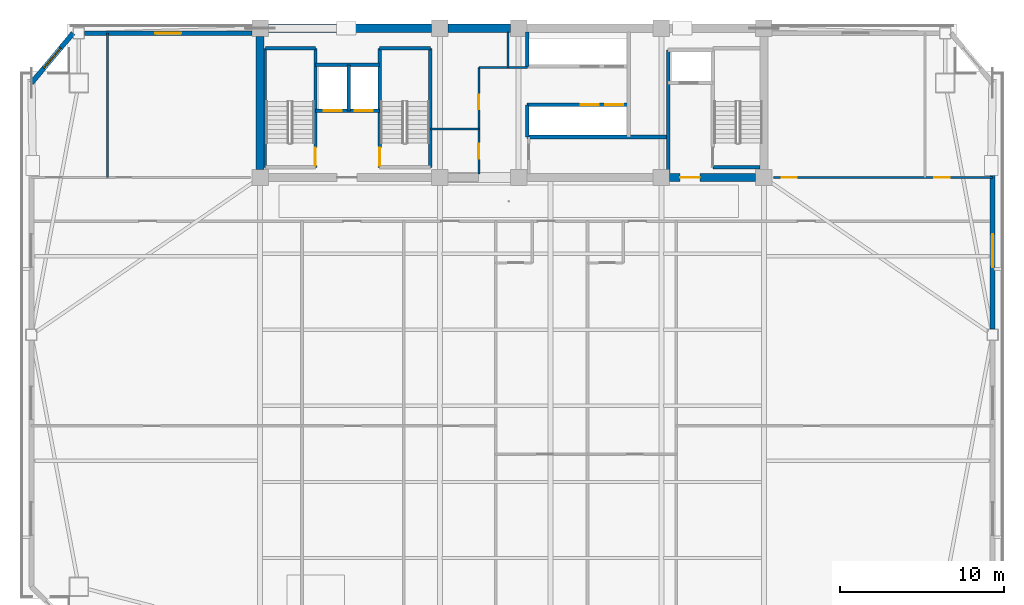
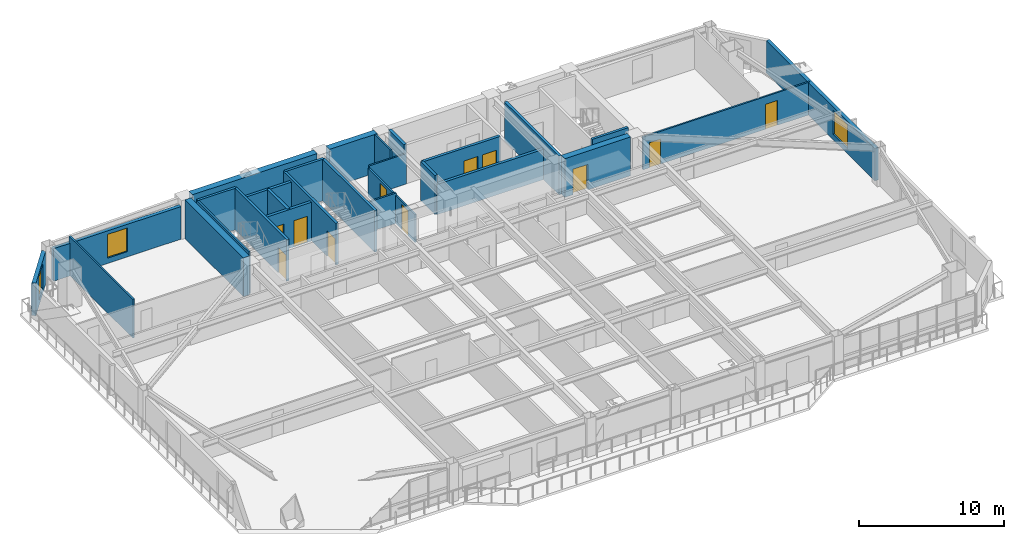
# One storey, part 9 of 15: 28 walls, 11 doors, 3 windows, 14 openings.
"""IFC4 building model written with IfcOpenShell, lengths in metres."""

from ifc_helpers import new_model, si_unit, direction, frame, frame_2d, origin, place, context, subcontext, project, spatial, rectangle, extrude, source, transform, mapped, material, layer, layer_set, type_object, element, fill, save


model = new_model("IFC4")

# Units and contexts
model_context = context("Model", 3, precision=1e-05, world=origin(), true_north=direction((0.0, 1.0)))
body_context = subcontext(model_context, "Body", "Model", "MODEL_VIEW")
ifc_project = project(units=[si_unit("LENGTHUNIT", "METRE"), si_unit("AREAUNIT", "SQUARE_METRE"), si_unit("VOLUMEUNIT", "CUBIC_METRE"), si_unit("PLANEANGLEUNIT", "RADIAN"), si_unit("MASSUNIT", "GRAM", prefix="KILO")], contexts=[model_context])

# Site, building, storey
site_placement = place(None, origin())
site = spatial("IfcSite", under=ifc_project, at=site_placement, CompositionType="ELEMENT")
building_placement = place(site_placement, origin())
building = spatial("IfcBuilding", under=site, at=building_placement, Name="Giltprow Tower", CompositionType="ELEMENT")
storey_placement = place(building_placement, frame((0.0, 0.0, 170.199951171875)))
storey = spatial("IfcBuildingStorey", under=building, at=storey_placement, Name="L42", CompositionType="ELEMENT", Elevation=170.199951171875)

# Wall, opening, window
ifc_material_1 = material(Name="Precast concrete C40", Category="concrete")
ifc_layer_1 = layer(ifc_material_1, 0.300048828125, Name="Precast concrete C40")
ifc_layer_set_1 = layer_set([ifc_layer_1], Name="Precast concrete C40")
wall_type_1 = type_object("IfcWallType", Name="EW-NOTCH-CHAMFER-300", PredefinedType="SOLIDWALL", material=ifc_layer_set_1)
wall_1_placement = place(storey_placement, frame((8.4560546875, 46.25, 0.0), z_axis=(0.0, 0.0, 1.0), x_axis=(-0.641106288565, -0.76745210063, 0.0)))
wall_1 = element("IfcWall", 1, at=wall_1_placement, inside=storey, type_object=wall_type_1, Name="L42 Corner Notch Wall NW", PredefinedType="SOLIDWALL", context=body_context, shape_type="SweptSolid", body=[
    extrude(rectangle(XDim=3.957275390625, YDim=0.300048828125, at=frame_2d((1.978515625, 0.0))), origin(), (0.0, 0.0, 1.0), 2.75),
])
opening_1_placement = place(wall_1_placement, frame((1.178955078125, 0.0, 0.449951171875)))
opening_1 = element("IfcOpeningElement", 2, at=opening_1_placement, cuts=wall_1, Name="Opening WN17", PredefinedType="OPENING", context=body_context, shape_type="SweptSolid", body=[
    extrude(rectangle(XDim=1.60009765625, YDim=2.0, at=frame_2d((0.800048828125, 1.0))), frame((0.0, 0.159912109375, 0.0), z_axis=(0.0, -1.0, 0.0), x_axis=(1.0, 0.0, 0.0)), (0.0, 0.0, 1.0), 0.320068359375),
])
ifc_material_2 = material(Name="Insulated glass", Category="glass")
window_type_1 = type_object("IfcWindowType", Name="WN-COR-1600x2000", PartitioningType="SINGLE_PANEL", PredefinedType="WINDOW", material=ifc_material_2)
shared_shape_1 = source(origin(), body_context, "Body", "SweptSolid", [
    extrude(rectangle(XDim=1.60009765625, YDim=2.0, at=frame_2d((0.800048828125, 1.0))), frame((0.0, 0.030029296875, 0.0), z_axis=(0.0, -1.0, 0.0), x_axis=(1.0, 0.0, 0.0)), (0.0, 0.0, 1.0), 0.06005859375),
])
window_1_placement = place(opening_1_placement, origin())
window_1 = element("IfcWindow", 3, at=window_1_placement, inside=storey, type_object=window_type_1, Name="L42 Corner Notch Window NW", OverallHeight=2.0, OverallWidth=1.60009765625, PartitioningType="SINGLE_PANEL", PredefinedType="WINDOW", context=body_context, shape_type="MappedRepresentation", body=[
    mapped(shared_shape_1, transform((0.0, 0.0, 0.0), x_axis=(1.0, 0.0, 0.0), y_axis=(0.0, 1.0, 0.0), z_axis=(0.0, 0.0, 1.0), scale=1.0)),
])
fill(opening_1, window_1)

ifc_layer_2 = layer(ifc_material_1, 0.280029296875, Name="Precast concrete C40")
ifc_layer_set_2 = layer_set([ifc_layer_2], Name="Precast concrete C40")
wall_type_2 = type_object("IfcWallType", Name="EW-TOW-BRONZE-280", PredefinedType="SOLIDWALL", material=ifc_layer_set_2)
wall_2_placement = place(storey_placement, frame((64.48095703125, 28.212890625, 0.0), z_axis=(0.0, 0.0, 1.0), x_axis=(0.0, 1.0, 0.0)))
wall_2 = element("IfcWall", 4, at=wall_2_placement, inside=storey, type_object=wall_type_2, Name="L42 E Wing Masonry Wall 2", PredefinedType="SOLIDWALL", context=body_context, shape_type="SweptSolid", body=[
    extrude(rectangle(XDim=15.0, YDim=0.280029296875, at=frame_2d((7.5, 0.0))), origin(), (0.0, 0.0, 1.0), 2.75),
])
opening_2_placement = place(wall_2_placement, frame((3.784912109375, 0.0, 0.449951171875)))
opening_2 = element("IfcOpeningElement", 5, at=opening_2_placement, cuts=wall_2, Name="Opening WN21", PredefinedType="OPENING", context=body_context, shape_type="SweptSolid", body=[
    extrude(rectangle(XDim=2.0, YDim=2.0, at=frame_2d((1.0, 1.0))), frame((0.0, 0.14990234375, 0.0), z_axis=(0.0, -1.0, 0.0), x_axis=(1.0, 0.0, 0.0)), (0.0, 0.0, 1.0), 0.300048828125),
])
window_type_2 = type_object("IfcWindowType", Name="WN-HTL-2000x2000", PartitioningType="DOUBLE_PANEL_VERTICAL", PredefinedType="WINDOW", material=ifc_material_2)
shared_shape_2 = source(origin(), body_context, "Body", "SweptSolid", [
    extrude(rectangle(XDim=2.0, YDim=2.0, at=frame_2d((1.0, 1.0))), frame((0.0, 0.030029296875, 0.0), z_axis=(0.0, -1.0, 0.0), x_axis=(1.0, 0.0, 0.0)), (0.0, 0.0, 1.0), 0.06005859375),
])
window_2_placement = place(opening_2_placement, origin())
window_2 = element("IfcWindow", 6, at=window_2_placement, inside=storey, type_object=window_type_2, Name="L42 E Wing Window 2-1", OverallHeight=2.0, OverallWidth=2.0, PartitioningType="SINGLE_PANEL", PredefinedType="WINDOW", context=body_context, shape_type="MappedRepresentation", body=[
    mapped(shared_shape_2, transform((0.0, 0.0, 0.0), x_axis=(1.0, 0.0, 0.0), y_axis=(0.0, 1.0, 0.0), z_axis=(0.0, 0.0, 1.0), scale=1.0)),
])
fill(opening_2, window_2)

wall_3_placement = place(storey_placement, frame((9.156005859375, 46.25, 0.0), z_axis=(0.0, 0.0, 1.0), x_axis=(1.0, 0.0, 0.0)))
wall_3 = element("IfcWall", 7, at=wall_3_placement, inside=storey, type_object=wall_type_2, Name="L42 North-West Wing Wall", PredefinedType="SOLIDWALL", context=body_context, shape_type="SweptSolid", body=[
    extrude(rectangle(XDim=10.194091796875, YDim=0.280029296875, at=frame_2d((5.09716796875, 0.0))), origin(), (0.0, 0.0, 1.0), 2.75),
])
opening_3_placement = place(wall_3_placement, frame((4.297119140625, 0.0, 0.449951171875)))
opening_3 = element("IfcOpeningElement", 8, at=opening_3_placement, cuts=wall_3, Name="Opening WN17", PredefinedType="OPENING", context=body_context, shape_type="SweptSolid", body=[
    extrude(rectangle(XDim=1.60009765625, YDim=2.0, at=frame_2d((0.800048828125, 1.0))), frame((0.0, 0.14990234375, 0.0), z_axis=(0.0, -1.0, 0.0), x_axis=(1.0, 0.0, 0.0)), (0.0, 0.0, 1.0), 0.300048828125),
])
window_3_placement = place(opening_3_placement, origin())
window_3 = element("IfcWindow", 9, at=window_3_placement, inside=storey, type_object=window_type_1, Name="L42 North-West Window", OverallHeight=2.0, OverallWidth=1.60009765625, PartitioningType="SINGLE_PANEL", PredefinedType="WINDOW", context=body_context, shape_type="MappedRepresentation", body=[
    mapped(shared_shape_1, transform((0.0, 0.0, 0.0), x_axis=(1.0, 0.0, 0.0), y_axis=(0.0, 1.0, 0.0), z_axis=(0.0, 0.0, 1.0), scale=1.0)),
])
fill(opening_3, window_3)

# Wall, openings, doors
ifc_material_3 = material(Name="Concrete C40", Category="concrete")
ifc_layer_3 = layer(ifc_material_3, 0.219970703125, Name="Concrete C40")
ifc_layer_set_3 = layer_set([ifc_layer_3], Name="Concrete C40")
wall_type_3 = type_object("IfcWallType", Name="IW-SHAFT-220", PredefinedType="SOLIDWALL", material=ifc_layer_set_3)
wall_4_placement = place(storey_placement, frame((23.219970703125, 41.52001953125, 0.0), z_axis=(0.0, 0.0, 1.0), x_axis=(1.0, 0.0, 0.0)))
wall_4 = element("IfcWall", 10, at=wall_4_placement, inside=storey, type_object=wall_type_3, Name="L42 FFL1 and Service Lift Front Wall", PredefinedType="SOLIDWALL", context=body_context, shape_type="SweptSolid", body=[
    extrude(rectangle(XDim=3.919921875, YDim=0.219970703125, at=frame_2d((1.9599609375, 0.0))), origin(), (0.0, 0.0, 1.0), 3.27001953125),
])
opening_4_placement = place(wall_4_placement, frame((0.5, 0.0, 0.0)))
opening_4 = element("IfcOpeningElement", 11, at=opening_4_placement, cuts=wall_4, Name="Opening LD-11", PredefinedType="OPENING", context=body_context, shape_type="SweptSolid", body=[
    extrude(rectangle(XDim=1.10009765625, YDim=2.199951171875, at=frame_2d((0.550048828125, 1.10009765625))), frame((0.0, 0.119873046875, 0.0), z_axis=(0.0, -1.0, 0.0), x_axis=(1.0, 0.0, 0.0)), (0.0, 0.0, 1.0), 0.239990234375),
])
opening_5_placement = place(wall_4_placement, frame((2.39990234375, 0.0, 0.0)))
opening_5 = element("IfcOpeningElement", 12, at=opening_5_placement, cuts=wall_4, Name="Opening LD-11", PredefinedType="OPENING", context=body_context, shape_type="SweptSolid", body=[
    extrude(rectangle(XDim=1.10009765625, YDim=2.199951171875, at=frame_2d((0.550048828125, 1.10009765625))), frame((0.0, 0.119873046875, 0.0), z_axis=(0.0, -1.0, 0.0), x_axis=(1.0, 0.0, 0.0)), (0.0, 0.0, 1.0), 0.239990234375),
])
ifc_material_4 = material(Name="Stainless steel", Category="steel")
door_type_1 = type_object("IfcDoorType", Name="DR-LIFT-LD1100", OperationType="SLIDING_TO_LEFT", PredefinedType="DOOR", material=ifc_material_4)
shared_shape_3 = source(origin(), body_context, "Body", "SweptSolid", [
    extrude(rectangle(XDim=1.10009765625, YDim=2.199951171875, at=frame_2d((0.550048828125, 1.10009765625))), frame((0.0, 0.02490234375, 0.0), z_axis=(0.0, -1.0, 0.0), x_axis=(1.0, 0.0, 0.0)), (0.0, 0.0, 1.0), 0.050048828125),
])
door_1_placement = place(opening_4_placement, origin())
door_1 = element("IfcDoor", 13, at=door_1_placement, inside=storey, type_object=door_type_1, Name="L42 FFL1 Landing Door", OperationType="SLIDING_TO_LEFT", OverallHeight=2.199951171875, OverallWidth=1.10009765625, PredefinedType="DOOR", context=body_context, shape_type="MappedRepresentation", body=[
    mapped(shared_shape_3, transform((0.0, 0.0, 0.0), x_axis=(1.0, 0.0, 0.0), y_axis=(0.0, 1.0, 0.0), z_axis=(0.0, 0.0, 1.0), scale=1.0)),
])
fill(opening_4, door_1)
door_2_placement = place(opening_5_placement, origin())
door_2 = element("IfcDoor", 14, at=door_2_placement, inside=storey, type_object=door_type_1, Name="L42 SVL1 Landing Door", OperationType="SLIDING_TO_LEFT", OverallHeight=2.199951171875, OverallWidth=1.10009765625, PredefinedType="DOOR", context=body_context, shape_type="MappedRepresentation", body=[
    mapped(shared_shape_3, transform((0.0, 0.0, 0.0), x_axis=(1.0, 0.0, 0.0), y_axis=(0.0, 1.0, 0.0), z_axis=(0.0, 0.0, 1.0), scale=1.0)),
])
fill(opening_5, door_2)

# Walls
wall_5_placement = place(storey_placement, frame((25.260009765625, 41.52001953125, 0.0), z_axis=(0.0, 0.0, 1.0), x_axis=(0.0, 1.0, 0.0)))
element("IfcWall", 15, at=wall_5_placement, inside=storey, type_object=wall_type_3, Name="L42 FFL1-SVL1 Shaft Divider", PredefinedType="SOLIDWALL", context=body_context, shape_type="SweptSolid", body=[
    extrude(rectangle(XDim=2.800048828125, YDim=0.219970703125, at=frame_2d((1.39990234375, 0.0))), origin(), (0.0, 0.0, 1.0), 3.27001953125),
])
wall_6_placement = place(storey_placement, frame((23.219970703125, 44.320068359375, 0.0), z_axis=(0.0, 0.0, 1.0), x_axis=(1.0, 0.0, 0.0)))
element("IfcWall", 16, at=wall_6_placement, inside=storey, type_object=wall_type_3, Name="L42 FFL1-SVL1 Back Shaft Wall", PredefinedType="SOLIDWALL", context=body_context, shape_type="SweptSolid", body=[
    extrude(rectangle(XDim=3.919921875, YDim=0.219970703125, at=frame_2d((1.9599609375, 0.0))), origin(), (0.0, 0.0, 1.0), 3.27001953125),
])
wall_7_placement = place(storey_placement, frame((44.719970703125, 37.679931640625, 0.0), z_axis=(0.0, 0.0, 1.0), x_axis=(0.0, 1.0, 0.0)))
element("IfcWall", 17, at=wall_7_placement, inside=storey, type_object=wall_type_3, Name="L42 East Firefighting Lobby West Wall", PredefinedType="SOLIDWALL", context=body_context, shape_type="SweptSolid", body=[
    extrude(rectangle(XDim=7.5400390625, YDim=0.219970703125, at=frame_2d((3.77001953125, 0.0))), origin(), (0.0, 0.0, 1.0), 3.27001953125),
])

# Wall, openings, doors
wall_8_placement = place(storey_placement, frame((36.1201171875, 41.8798828125, 0.0), z_axis=(0.0, 0.0, 1.0), x_axis=(1.0, 0.0, 0.0)))
wall_8 = element("IfcWall", 18, at=wall_8_placement, inside=storey, type_object=wall_type_3, Name="L42 Mid-Rise Lift Shaft Front Wall S", PredefinedType="SOLIDWALL", context=body_context, shape_type="SweptSolid", body=[
    extrude(rectangle(XDim=6.199951171875, YDim=0.219970703125, at=frame_2d((3.10009765625, 0.0))), origin(), (0.0, 0.0, 1.0), 3.27001953125),
])
opening_6_placement = place(wall_8_placement, frame((3.280029296875, 0.0, 0.0)))
opening_6 = element("IfcOpeningElement", 19, at=opening_6_placement, cuts=wall_8, Name="Opening LD-11", PredefinedType="OPENING", context=body_context, shape_type="SweptSolid", body=[
    extrude(rectangle(XDim=1.10009765625, YDim=2.199951171875, at=frame_2d((0.550048828125, 1.10009765625))), frame((0.0, 0.119873046875, 0.0), z_axis=(0.0, -1.0, 0.0), x_axis=(1.0, 0.0, 0.0)), (0.0, 0.0, 1.0), 0.239990234375),
])
opening_7_placement = place(wall_8_placement, frame((4.77001953125, 0.0, 0.0)))
opening_7 = element("IfcOpeningElement", 20, at=opening_7_placement, cuts=wall_8, Name="Opening LD-11", PredefinedType="OPENING", context=body_context, shape_type="SweptSolid", body=[
    extrude(rectangle(XDim=1.10009765625, YDim=2.199951171875, at=frame_2d((0.550048828125, 1.10009765625))), frame((0.0, 0.119873046875, 0.0), z_axis=(0.0, -1.0, 0.0), x_axis=(1.0, 0.0, 0.0)), (0.0, 0.0, 1.0), 0.239990234375),
])
door_3_placement = place(opening_6_placement, origin())
door_3 = element("IfcDoor", 21, at=door_3_placement, inside=storey, type_object=door_type_1, Name="L42 PL-M3 Landing Door", OperationType="SLIDING_TO_LEFT", OverallHeight=2.199951171875, OverallWidth=1.10009765625, PredefinedType="DOOR", context=body_context, shape_type="MappedRepresentation", body=[
    mapped(shared_shape_3, transform((0.0, 0.0, 0.0), x_axis=(1.0, 0.0, 0.0), y_axis=(0.0, 1.0, 0.0), z_axis=(0.0, 0.0, 1.0), scale=1.0)),
])
fill(opening_6, door_3)
door_4_placement = place(opening_7_placement, origin())
door_4 = element("IfcDoor", 22, at=door_4_placement, inside=storey, type_object=door_type_1, Name="L42 PL-M4 Landing Door", OperationType="SLIDING_TO_LEFT", OverallHeight=2.199951171875, OverallWidth=1.10009765625, PredefinedType="DOOR", context=body_context, shape_type="MappedRepresentation", body=[
    mapped(shared_shape_3, transform((0.0, 0.0, 0.0), x_axis=(1.0, 0.0, 0.0), y_axis=(0.0, 1.0, 0.0), z_axis=(0.0, 0.0, 1.0), scale=1.0)),
])
fill(opening_7, door_4)

# Walls
wall_9_placement = place(storey_placement, frame((36.1201171875, 39.919921875, 0.0), z_axis=(0.0, 0.0, 1.0), x_axis=(1.0, 0.0, 0.0)))
element("IfcWall", 23, at=wall_9_placement, inside=storey, type_object=wall_type_3, Name="L42 Mid-Rise South Lift Back Wall", PredefinedType="SOLIDWALL", context=body_context, shape_type="SweptSolid", body=[
    extrude(rectangle(XDim=8.599853515625, YDim=0.219970703125, at=frame_2d((4.2998046875, 0.0))), origin(), (0.0, 0.0, 1.0), 2.554931640625),
])
wall_10_placement = place(storey_placement, frame((36.1201171875, 39.919921875, 0.0), z_axis=(0.0, 0.0, 1.0), x_axis=(0.0, 1.0, 0.0)))
element("IfcWall", 24, at=wall_10_placement, inside=storey, type_object=wall_type_3, Name="L42 Mid-Rise South Lift West Closure", PredefinedType="SOLIDWALL", context=body_context, shape_type="SweptSolid", body=[
    extrude(rectangle(XDim=1.9599609375, YDim=0.219970703125, at=frame_2d((0.97998046875, 0.0))), origin(), (0.0, 0.0, 1.0), 3.27001953125),
])
wall_11_placement = place(storey_placement, frame((36.1201171875, 44.219970703125, 0.0), z_axis=(0.0, 0.0, 1.0), x_axis=(0.0, 1.0, 0.0)))
element("IfcWall", 25, at=wall_11_placement, inside=storey, type_object=wall_type_3, Name="L42 Mid-Rise North Lift West Closure", PredefinedType="SOLIDWALL", context=body_context, shape_type="SweptSolid", body=[
    extrude(rectangle(XDim=2.10009765625, YDim=0.219970703125, at=frame_2d((1.050048828125, 0.0))), origin(), (0.0, 0.0, 1.0), 3.27001953125),
])
ifc_material_5 = material(Name="Concrete C45", Category="concrete")
ifc_layer_4 = layer(ifc_material_5, 0.139892578125, Name="Concrete C45")
ifc_layer_set_4 = layer_set([ifc_layer_4], Name="Concrete C45")
wall_type_4 = type_object("IfcWallType", Name="IW-STAIR-140", PredefinedType="SOLIDWALL", material=ifc_layer_set_4)
wall_12_placement = place(storey_placement, frame((20.169921875, 38.070068359375, 0.0), z_axis=(0.0, 0.0, 1.0), x_axis=(0.0, 1.0, 0.0)))
element("IfcWall", 26, at=wall_12_placement, inside=storey, type_object=wall_type_4, Name="L42 Stair ST-1 West Bearing Wall", PredefinedType="SOLIDWALL", context=body_context, shape_type="SweptSolid", body=[
    extrude(rectangle(XDim=7.25, YDim=0.139892578125, at=frame_2d((3.625, 0.0))), origin(), (0.0, 0.0, 1.0), 3.5),
])

# Wall, opening, door
ifc_layer_5 = layer(ifc_material_3, 0.199951171875, Name="Concrete C40")
ifc_layer_set_5 = layer_set([ifc_layer_5], Name="Concrete C40")
wall_type_5 = type_object("IfcWallType", Name="IW-STAIR-200", PredefinedType="SOLIDWALL", material=ifc_layer_set_5)
wall_13_placement = place(storey_placement, frame((23.219970703125, 38.070068359375, 0.0), z_axis=(0.0, 0.0, 1.0), x_axis=(0.0, 1.0, 0.0)))
wall_13 = element("IfcWall", 27, at=wall_13_placement, inside=storey, type_object=wall_type_5, Name="L42 Stair ST-1 East Bearing Wall", PredefinedType="SOLIDWALL", context=body_context, shape_type="SweptSolid", body=[
    extrude(rectangle(XDim=7.25, YDim=0.199951171875, at=frame_2d((3.625, 0.0))), origin(), (0.0, 0.0, 1.0), 3.5),
])
opening_8_placement = place(wall_13_placement, frame((0.110107421875, 0.0, 0.0)))
opening_8 = element("IfcOpeningElement", 28, at=opening_8_placement, cuts=wall_13, Name="Opening ID33", PredefinedType="OPENING", context=body_context, shape_type="SweptSolid", body=[
    extrude(rectangle(XDim=1.10009765625, YDim=2.14990234375, at=frame_2d((0.550048828125, 1.074951171875))), frame((0.0, 0.10986328125, 0.0), z_axis=(0.0, -1.0, 0.0), x_axis=(1.0, 0.0, 0.0)), (0.0, 0.0, 1.0), 0.219970703125),
])
ifc_material_6 = material(Name="Steel fire leaf", Category="steel")
door_type_2 = type_object("IfcDoorType", Name="DR-STAIR-1100", OperationType="SINGLE_SWING_LEFT", PredefinedType="DOOR", material=ifc_material_6)
shared_shape_4 = source(origin(), body_context, "Body", "SweptSolid", [
    extrude(rectangle(XDim=1.10009765625, YDim=2.14990234375, at=frame_2d((0.550048828125, 1.074951171875))), frame((0.0, 0.02490234375, 0.0), z_axis=(0.0, -1.0, 0.0), x_axis=(1.0, 0.0, 0.0)), (0.0, 0.0, 1.0), 0.050048828125),
])
door_5_placement = place(opening_8_placement, origin())
door_5 = element("IfcDoor", 29, at=door_5_placement, inside=storey, type_object=door_type_2, Name="L42 Stair ST-1 Fire Door", OperationType="SINGLE_SWING_LEFT", OverallHeight=2.14990234375, OverallWidth=1.10009765625, PredefinedType="DOOR", context=body_context, shape_type="MappedRepresentation", body=[
    mapped(shared_shape_4, transform((0.0, 0.0, 0.0), x_axis=(1.0, 0.0, 0.0), y_axis=(0.0, 1.0, 0.0), z_axis=(0.0, 0.0, 1.0), scale=1.0)),
])
fill(opening_8, door_5)

# Wall
wall_14_placement = place(storey_placement, frame((20.169921875, 45.320068359375, 0.0), z_axis=(0.0, 0.0, 1.0), x_axis=(1.0, 0.0, 0.0)))
element("IfcWall", 30, at=wall_14_placement, inside=storey, type_object=wall_type_5, Name="L42 Stair ST-1 North Bearing Wall", PredefinedType="SOLIDWALL", context=body_context, shape_type="SweptSolid", body=[
    extrude(rectangle(XDim=3.050048828125, YDim=0.199951171875, at=frame_2d((1.52490234375, 0.0))), origin(), (0.0, 0.0, 1.0), 3.5),
])

# Wall, opening, door
wall_15_placement = place(storey_placement, frame((27.139892578125, 38.070068359375, 0.0), z_axis=(0.0, 0.0, 1.0), x_axis=(0.0, 1.0, 0.0)))
wall_15 = element("IfcWall", 31, at=wall_15_placement, inside=storey, type_object=wall_type_5, Name="L42 Stair ST-2 West Bearing Wall", PredefinedType="SOLIDWALL", context=body_context, shape_type="SweptSolid", body=[
    extrude(rectangle(XDim=7.25, YDim=0.199951171875, at=frame_2d((3.625, 0.0))), origin(), (0.0, 0.0, 1.0), 3.5),
])
opening_9_placement = place(wall_15_placement, frame((0.110107421875, 0.0, 0.0)))
opening_9 = element("IfcOpeningElement", 32, at=opening_9_placement, cuts=wall_15, Name="Opening ID33", PredefinedType="OPENING", context=body_context, shape_type="SweptSolid", body=[
    extrude(rectangle(XDim=1.10009765625, YDim=2.14990234375, at=frame_2d((0.550048828125, 1.074951171875))), frame((0.0, 0.10986328125, 0.0), z_axis=(0.0, -1.0, 0.0), x_axis=(1.0, 0.0, 0.0)), (0.0, 0.0, 1.0), 0.219970703125),
])
door_6_placement = place(opening_9_placement, origin())
door_6 = element("IfcDoor", 33, at=door_6_placement, inside=storey, type_object=door_type_2, Name="L42 Stair ST-2 Fire Door", OperationType="SINGLE_SWING_RIGHT", OverallHeight=2.14990234375, OverallWidth=1.10009765625, PredefinedType="DOOR", context=body_context, shape_type="MappedRepresentation", body=[
    mapped(shared_shape_4, transform((0.0, 0.0, 0.0), x_axis=(1.0, 0.0, 0.0), y_axis=(0.0, 1.0, 0.0), z_axis=(0.0, 0.0, 1.0), scale=1.0)),
])
fill(opening_9, door_6)

# Walls
wall_16_placement = place(storey_placement, frame((30.219970703125, 38.070068359375, 0.0), z_axis=(0.0, 0.0, 1.0), x_axis=(0.0, 1.0, 0.0)))
element("IfcWall", 34, at=wall_16_placement, inside=storey, type_object=wall_type_5, Name="L42 Stair ST-2 East Bearing Wall", PredefinedType="SOLIDWALL", context=body_context, shape_type="SweptSolid", body=[
    extrude(rectangle(XDim=7.25, YDim=0.199951171875, at=frame_2d((3.625, 0.0))), origin(), (0.0, 0.0, 1.0), 3.5),
])
wall_17_placement = place(storey_placement, frame((27.139892578125, 45.320068359375, 0.0), z_axis=(0.0, 0.0, 1.0), x_axis=(1.0, 0.0, 0.0)))
element("IfcWall", 35, at=wall_17_placement, inside=storey, type_object=wall_type_5, Name="L42 Stair ST-2 North Bearing Wall", PredefinedType="SOLIDWALL", context=body_context, shape_type="SweptSolid", body=[
    extrude(rectangle(XDim=3.080078125, YDim=0.199951171875, at=frame_2d((1.5400390625, 0.0))), origin(), (0.0, 0.0, 1.0), 3.5),
])
wall_18_placement = place(storey_placement, frame((47.43994140625, 38.070068359375, 0.0), z_axis=(0.0, 0.0, 1.0), x_axis=(1.0, 0.0, 0.0)))
element("IfcWall", 36, at=wall_18_placement, inside=storey, type_object=wall_type_5, Name="L42 Stair ST-3 South Bearing Wall", PredefinedType="SOLIDWALL", context=body_context, shape_type="SweptSolid", body=[
    extrude(rectangle(XDim=2.880126953125, YDim=0.199951171875, at=frame_2d((1.43994140625, 0.0))), origin(), (0.0, 0.0, 1.0), 3.5),
])

# Wall, openings, doors
ifc_material_7 = material(Name="Concrete C30", Category="concrete")
ifc_layer_6 = layer(ifc_material_7, 0.1298828125, Name="Concrete C30")
ifc_layer_set_6 = layer_set([ifc_layer_6], Name="Concrete C30")
wall_type_6 = type_object("IfcWallType", Name="IW-WET-130", PredefinedType="PARTITIONING", material=ifc_layer_set_6)
wall_19_placement = place(storey_placement, frame((33.179931640625, 37.679931640625, 0.0), z_axis=(0.0, 0.0, 1.0), x_axis=(0.0, 1.0, 0.0)))
wall_19 = element("IfcWall", 37, at=wall_19_placement, inside=storey, type_object=wall_type_6, Name="L42 Reclaimed Core Room East Wall", PredefinedType="PARTITIONING", context=body_context, shape_type="SweptSolid", body=[
    extrude(rectangle(XDim=6.469970703125, YDim=0.1298828125, at=frame_2d((3.23486328125, 0.0))), origin(), (0.0, 0.0, 1.0), 2.35498046875),
])
opening_10_placement = place(wall_19_placement, frame((0.919921875, 0.0, 0.0)))
opening_10 = element("IfcOpeningElement", 38, at=opening_10_placement, cuts=wall_19, Name="Opening ID35", PredefinedType="OPENING", context=body_context, shape_type="SweptSolid", body=[
    extrude(rectangle(XDim=0.89990234375, YDim=2.10009765625, at=frame_2d((0.449951171875, 1.050048828125))), frame((0.0, 0.074951171875, 0.0), z_axis=(0.0, -1.0, 0.0), x_axis=(1.0, 0.0, 0.0)), (0.0, 0.0, 1.0), 0.14990234375),
])
opening_11_placement = place(wall_19_placement, frame((3.919921875, 0.0, 0.0)))
opening_11 = element("IfcOpeningElement", 39, at=opening_11_placement, cuts=wall_19, Name="Opening ID35", PredefinedType="OPENING", context=body_context, shape_type="SweptSolid", body=[
    extrude(rectangle(XDim=0.89990234375, YDim=2.10009765625, at=frame_2d((0.449951171875, 1.050048828125))), frame((0.0, 0.074951171875, 0.0), z_axis=(0.0, -1.0, 0.0), x_axis=(1.0, 0.0, 0.0)), (0.0, 0.0, 1.0), 0.14990234375),
])
door_type_3 = type_object("IfcDoorType", Name="DR-SHAFT-900", OperationType="SINGLE_SWING_LEFT", PredefinedType="DOOR", material=ifc_material_6)
shared_shape_5 = source(origin(), body_context, "Body", "SweptSolid", [
    extrude(rectangle(XDim=0.89990234375, YDim=2.10009765625, at=frame_2d((0.449951171875, 1.050048828125))), frame((0.0, 0.02490234375, 0.0), z_axis=(0.0, -1.0, 0.0), x_axis=(1.0, 0.0, 0.0)), (0.0, 0.0, 1.0), 0.050048828125),
])
door_7_placement = place(opening_10_placement, origin())
door_7 = element("IfcDoor", 40, at=door_7_placement, inside=storey, type_object=door_type_3, Name="L42 Core Accessible WC Door", OperationType="SINGLE_SWING_RIGHT", OverallHeight=2.10009765625, OverallWidth=0.89990234375, PredefinedType="DOOR", context=body_context, shape_type="MappedRepresentation", body=[
    mapped(shared_shape_5, transform((0.0, 0.0, 0.0), x_axis=(1.0, 0.0, 0.0), y_axis=(0.0, 1.0, 0.0), z_axis=(0.0, 0.0, 1.0), scale=1.0)),
])
fill(opening_10, door_7)
door_8_placement = place(opening_11_placement, origin())
door_8 = element("IfcDoor", 41, at=door_8_placement, inside=storey, type_object=door_type_3, Name="L42 Housekeeping Room Door", OperationType="SINGLE_SWING_LEFT", OverallHeight=2.10009765625, OverallWidth=0.89990234375, PredefinedType="DOOR", context=body_context, shape_type="MappedRepresentation", body=[
    mapped(shared_shape_5, transform((0.0, 0.0, 0.0), x_axis=(1.0, 0.0, 0.0), y_axis=(0.0, 1.0, 0.0), z_axis=(0.0, 0.0, 1.0), scale=1.0)),
])
fill(opening_11, door_8)

# Walls
wall_20_placement = place(storey_placement, frame((34.949951171875, 44.14990234375, 0.0), z_axis=(0.0, 0.0, 1.0), x_axis=(0.0, 1.0, 0.0)))
element("IfcWall", 42, at=wall_20_placement, inside=storey, type_object=wall_type_6, Name="L42 Reclaimed North Pocket East Wall", PredefinedType="PARTITIONING", context=body_context, shape_type="SweptSolid", body=[
    extrude(rectangle(XDim=2.170166015625, YDim=0.1298828125, at=frame_2d((1.0849609375, 0.0))), origin(), (0.0, 0.0, 1.0), 3.27001953125),
])
wall_21_placement = place(storey_placement, frame((33.179931640625, 44.14990234375, 0.0), z_axis=(0.0, 0.0, 1.0), x_axis=(1.0, 0.0, 0.0)))
element("IfcWall", 43, at=wall_21_placement, inside=storey, type_object=wall_type_6, Name="L42 Reclaimed North Pocket South Wall", PredefinedType="PARTITIONING", context=body_context, shape_type="SweptSolid", body=[
    extrude(rectangle(XDim=2.969970703125, YDim=0.1298828125, at=frame_2d((1.48486328125, 0.0))), origin(), (0.0, 0.0, 1.0), 2.554931640625),
])
wall_22_placement = place(storey_placement, frame((30.219970703125, 40.39990234375, 0.0), z_axis=(0.0, 0.0, 1.0), x_axis=(1.0, 0.0, 0.0)))
element("IfcWall", 44, at=wall_22_placement, inside=storey, type_object=wall_type_6, Name="L42 Core Housekeeping Split 2", PredefinedType="PARTITIONING", context=body_context, shape_type="SweptSolid", body=[
    extrude(rectangle(XDim=2.9599609375, YDim=0.1298828125, at=frame_2d((1.47998046875, 0.0))), origin(), (0.0, 0.0, 1.0), 2.554931640625),
])
wall_23_placement = place(storey_placement, frame((10.550048828125, 37.449951171875, 0.0), z_axis=(0.0, 0.0, 1.0), x_axis=(0.0, 1.0, 0.0)))
element("IfcWall", 45, at=wall_23_placement, inside=storey, type_object=wall_type_6, Name="L42 NW Wing Divider", PredefinedType="PARTITIONING", context=body_context, shape_type="SweptSolid", body=[
    extrude(rectangle(XDim=8.800048828125, YDim=0.1298828125, at=frame_2d((4.39990234375, 0.0))), origin(), (0.0, 0.0, 1.0), 3.27001953125),
])

# Wall, openings, doors
wall_24_placement = place(storey_placement, frame((51.14990234375, 37.449951171875, 0.0), z_axis=(0.0, 0.0, 1.0), x_axis=(1.0, 0.0, 0.0)))
wall_24 = element("IfcWall", 46, at=wall_24_placement, inside=storey, type_object=wall_type_6, Name="L42 NE Wing South Wall", PredefinedType="PARTITIONING", context=body_context, shape_type="SweptSolid", body=[
    extrude(rectangle(XDim=13.3310546875, YDim=0.1298828125, at=frame_2d((6.66552734375, 0.0))), origin(), (0.0, 0.0, 1.0), 2.755126953125),
])
opening_12_placement = place(wall_24_placement, frame((0.5, 0.0, 0.0)))
opening_12 = element("IfcOpeningElement", 47, at=opening_12_placement, cuts=wall_24, Name="Opening ID15", PredefinedType="OPENING", context=body_context, shape_type="SweptSolid", body=[
    extrude(rectangle(XDim=0.89990234375, YDim=2.10009765625, at=frame_2d((0.449951171875, 1.050048828125))), frame((0.0, 0.074951171875, 0.0), z_axis=(0.0, -1.0, 0.0), x_axis=(1.0, 0.0, 0.0)), (0.0, 0.0, 1.0), 0.14990234375),
])
opening_13_placement = place(wall_24_placement, frame((9.77197265625, 0.0, 0.0)))
opening_13 = element("IfcOpeningElement", 48, at=opening_13_placement, cuts=wall_24, Name="Opening ID11", PredefinedType="OPENING", context=body_context, shape_type="SweptSolid", body=[
    extrude(rectangle(XDim=0.949951171875, YDim=2.10009765625, at=frame_2d((0.47509765625, 1.050048828125))), frame((0.0, 0.074951171875, 0.0), z_axis=(0.0, -1.0, 0.0), x_axis=(1.0, 0.0, 0.0)), (0.0, 0.0, 1.0), 0.14990234375),
])
ifc_material_8 = material(Name="Engineered timber", Category="wood")
door_type_4 = type_object("IfcDoorType", Name="DR-WC-900", OperationType="SINGLE_SWING_LEFT", PredefinedType="DOOR", material=ifc_material_8)
door_9_placement = place(opening_12_placement, origin())
door_9 = element("IfcDoor", 49, at=door_9_placement, inside=storey, type_object=door_type_4, Name="L42 East Wing Washroom Door", OperationType="SINGLE_SWING_RIGHT", OverallHeight=2.10009765625, OverallWidth=0.89990234375, PredefinedType="DOOR", context=body_context, shape_type="MappedRepresentation", body=[
    mapped(shared_shape_5, transform((0.0, 0.0, 0.0), x_axis=(1.0, 0.0, 0.0), y_axis=(0.0, 1.0, 0.0), z_axis=(0.0, 0.0, 1.0), scale=1.0)),
])
fill(opening_12, door_9)
door_type_5 = type_object("IfcDoorType", Name="DR-ROOM-950", OperationType="SINGLE_SWING_RIGHT", PredefinedType="DOOR", material=ifc_material_8)
shared_shape_6 = source(origin(), body_context, "Body", "SweptSolid", [
    extrude(rectangle(XDim=0.949951171875, YDim=2.10009765625, at=frame_2d((0.47509765625, 1.050048828125))), frame((0.0, 0.02490234375, 0.0), z_axis=(0.0, -1.0, 0.0), x_axis=(1.0, 0.0, 0.0)), (0.0, 0.0, 1.0), 0.050048828125),
])
door_10_placement = place(opening_13_placement, origin())
door_10 = element("IfcDoor", 50, at=door_10_placement, inside=storey, type_object=door_type_5, Name="L42 Hotel Floor Linen Store Door", OperationType="SINGLE_SWING_RIGHT", OverallHeight=2.10009765625, OverallWidth=0.949951171875, PredefinedType="DOOR", context=body_context, shape_type="MappedRepresentation", body=[
    mapped(shared_shape_6, transform((0.0, 0.0, 0.0), x_axis=(1.0, 0.0, 0.0), y_axis=(0.0, 1.0, 0.0), z_axis=(0.0, 0.0, 1.0), scale=1.0)),
])
fill(opening_13, door_10)

# Walls
ifc_material_9 = material(Name="Concrete C50", Category="concrete")
ifc_layer_7 = layer(ifc_material_9, 0.5, Name="Concrete C50")
ifc_layer_set_7 = layer_set([ifc_layer_7], Name="Concrete C50")
wall_type_7 = type_object("IfcWallType", Name="SW-EXT-500-C50", PredefinedType="SHEAR", material=ifc_layer_set_7)
wall_25_placement = place(storey_placement, frame((20.35009765625, 46.550048828125, 0.0), z_axis=(0.0, 0.0, 1.0), x_axis=(1.0, 0.0, 0.0)))
element("IfcWall", 51, at=wall_25_placement, inside=storey, type_object=wall_type_7, Name="L42 North Rear Core Shear Wall 1", PredefinedType="SHEAR", context=body_context, shape_type="SweptSolid", body=[
    extrude(rectangle(XDim=9.949951171875, YDim=0.5, at=frame_2d((4.97509765625, 0.0))), origin(), (0.0, 0.0, 1.0), 3.27001953125),
])
wall_26_placement = place(storey_placement, frame((31.300048828125, 46.550048828125, 0.0), z_axis=(0.0, 0.0, 1.0), x_axis=(1.0, 0.0, 0.0)))
element("IfcWall", 52, at=wall_26_placement, inside=storey, type_object=wall_type_7, Name="L42 North Rear Core Shear Wall 2", PredefinedType="SHEAR", context=body_context, shape_type="SweptSolid", body=[
    extrude(rectangle(XDim=3.800048828125, YDim=0.5, at=frame_2d((1.89990234375, 0.0))), origin(), (0.0, 0.0, 1.0), 3.27001953125),
])

# Wall, opening, door
ifc_layer_8 = layer(ifc_material_9, 0.5, Name="Concrete C50")
ifc_layer_set_8 = layer_set([ifc_layer_8], Name="Concrete C50")
wall_type_8 = type_object("IfcWallType", Name="SW-INT-500-C50", PredefinedType="SHEAR", material=ifc_layer_set_8)
wall_27_placement = place(storey_placement, frame((44.800048828125, 37.449951171875, 0.0), z_axis=(0.0, 0.0, 1.0), x_axis=(1.0, 0.0, 0.0)))
wall_27 = element("IfcWall", 53, at=wall_27_placement, inside=storey, type_object=wall_type_8, Name="L42 South Rear Core Shear Wall East", PredefinedType="SHEAR", context=body_context, shape_type="SweptSolid", body=[
    extrude(rectangle(XDim=5.25, YDim=0.5, at=frame_2d((2.625, 0.0))), origin(), (0.0, 0.0, 1.0), 3.27001953125),
])
opening_14_placement = place(wall_27_placement, frame((0.64990234375, 0.0, 0.0)))
opening_14 = element("IfcOpeningElement", 54, at=opening_14_placement, cuts=wall_27, Name="Opening ID19", PredefinedType="OPENING", context=body_context, shape_type="SweptSolid", body=[
    extrude(rectangle(XDim=1.199951171875, YDim=2.14990234375, at=frame_2d((0.60009765625, 1.074951171875))), frame((0.0, 0.260009765625, 0.0), z_axis=(0.0, -1.0, 0.0), x_axis=(1.0, 0.0, 0.0)), (0.0, 0.0, 1.0), 0.52001953125),
])
door_type_6 = type_object("IfcDoorType", Name="DR-FFLOBBY-1200", OperationType="SINGLE_SWING_RIGHT", PredefinedType="DOOR", material=ifc_material_6)
shared_shape_7 = source(origin(), body_context, "Body", "SweptSolid", [
    extrude(rectangle(XDim=1.199951171875, YDim=2.14990234375, at=frame_2d((0.60009765625, 1.074951171875))), frame((0.0, 0.02490234375, 0.0), z_axis=(0.0, -1.0, 0.0), x_axis=(1.0, 0.0, 0.0)), (0.0, 0.0, 1.0), 0.050048828125),
])
door_11_placement = place(opening_14_placement, origin())
door_11 = element("IfcDoor", 55, at=door_11_placement, inside=storey, type_object=door_type_6, Name="L42 East Firefighting Lobby Entry Door", OperationType="SINGLE_SWING_RIGHT", OverallHeight=2.14990234375, OverallWidth=1.199951171875, PredefinedType="DOOR", context=body_context, shape_type="MappedRepresentation", body=[
    mapped(shared_shape_7, transform((0.0, 0.0, 0.0), x_axis=(1.0, 0.0, 0.0), y_axis=(0.0, 1.0, 0.0), z_axis=(0.0, 0.0, 1.0), scale=1.0)),
])
fill(opening_14, door_11)

# Wall
wall_28_placement = place(storey_placement, frame((19.85009765625, 37.949951171875, 0.0), z_axis=(0.0, 0.0, 1.0), x_axis=(0.0, 1.0, 0.0)))
element("IfcWall", 56, at=wall_28_placement, inside=storey, type_object=wall_type_8, Name="L42 W Rear Core Shear Wall", PredefinedType="SHEAR", context=body_context, shape_type="SweptSolid", body=[
    extrude(rectangle(XDim=8.10009765625, YDim=0.5, at=frame_2d((4.050048828125, 0.0))), origin(), (0.0, 0.0, 1.0), 3.27001953125),
])

save(model, "model.ifc")
